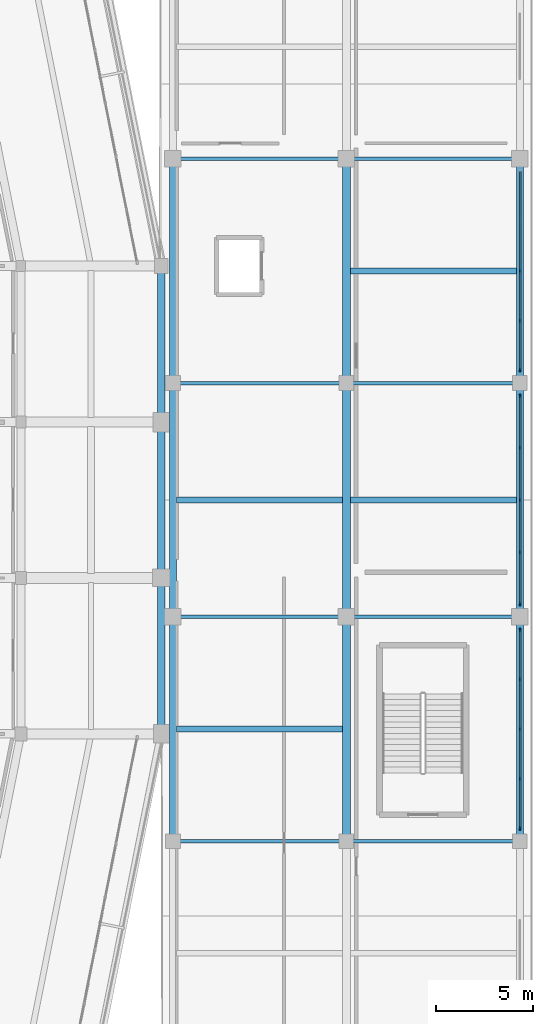
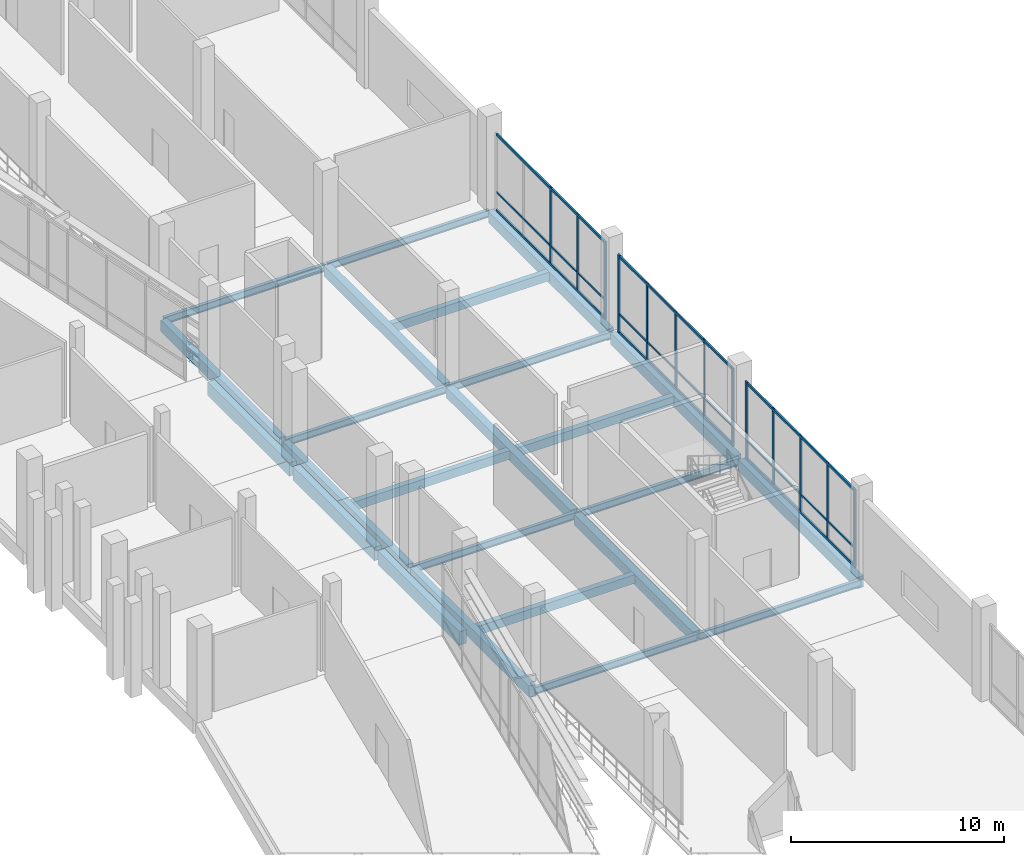
# One storey, part 44 of 114: 24 beams, 22 members, 3 elements without a shape of their own.
"""IFC4 building model written with IfcOpenShell, lengths in metres."""

from ifc_helpers import new_model, si_unit, direction, frame, origin, origin_2d, place, context, subcontext, project, spatial, rectangle, i_section, extrude, material, material_profile, profile_set, type_object, element, aggregate, save


model = new_model("IFC4")

# Units and contexts
model_context = context("Model", 3, precision=1e-05, world=origin(), true_north=direction((0.0, 1.0)))
body_context = subcontext(model_context, "Body", "Model", "MODEL_VIEW")
ifc_project = project(units=[si_unit("LENGTHUNIT", "METRE"), si_unit("AREAUNIT", "SQUARE_METRE"), si_unit("VOLUMEUNIT", "CUBIC_METRE"), si_unit("PLANEANGLEUNIT", "RADIAN"), si_unit("MASSUNIT", "GRAM", prefix="KILO")], contexts=[model_context])

# Site, building, storey
site_placement = place(None, origin())
site = spatial("IfcSite", under=ifc_project, at=site_placement, CompositionType="ELEMENT")
building_placement = place(site_placement, origin())
building = spatial("IfcBuilding", under=site, at=building_placement, Name="Candeia Ridge Stadium", CompositionType="ELEMENT")
storey_placement = place(building_placement, frame((0.0, 0.0, 5.39990234375)))
storey = spatial("IfcBuildingStorey", under=building, at=storey_placement, Name="L01", CompositionType="ELEMENT", Elevation=5.39990234375)

# Curtain wall, members
ifc_material_1 = material(Name="Aluminium Anodized Warm Bronze", Category="aluminium")
curtain_wall_type = type_object("IfcCurtainWallType", Name="Cardinal Entrance Gate Tall Glazed Curtain Wall", PredefinedType="NOTDEFINED", material=ifc_material_1)
curtain_wall_1_placement = place(storey_placement, origin())
curtain_wall_1 = element("IfcCurtainWall", 1, at=curtain_wall_1_placement, inside=storey, type_object=curtain_wall_type, Name="Unitised curtain wall CW-WNG-L01-102", PredefinedType="NOTDEFINED")
ifc_material_profile_1 = material_profile(ifc_material_1, rectangle(XDim=0.090087890625, YDim=0.179931640625, at=origin_2d()), Name="CWM-90x180", Category="aluminium")
ifc_profile_set_1 = profile_set([ifc_material_profile_1], Name="Aluminium Anodized Warm Bronze")
member_type_1 = type_object("IfcMemberType", Name="Curtain Wall Primary Mullion 90x180", PredefinedType="MULLION", material=ifc_profile_set_1)
member_1_placement = place(storey_placement, frame((211.39990234375, 66.159912109375, 0.0), z_axis=(0.0, 0.0, 1.0), x_axis=(1.0, 0.0, 0.0)))
member_1 = element("IfcMember", 2, at=member_1_placement, type_object=member_type_1, Name="Curtain wall mullion CW-WNG-L01-102-M0", PredefinedType="MULLION", context=body_context, shape_type="SweptSolid", body=[
    extrude(rectangle(XDim=0.090087890625, YDim=0.179931640625, at=origin_2d()), origin(), (0.0, 0.0, 1.0), 4.47509765625),
])
member_2_placement = place(storey_placement, frame((211.39990234375, 76.340087890625, 0.0), z_axis=(0.0, 0.0, 1.0), x_axis=(1.0, 0.0, 0.0)))
member_2 = element("IfcMember", 3, at=member_2_placement, type_object=member_type_1, Name="Curtain wall mullion CW-WNG-L01-102-M4", PredefinedType="MULLION", context=body_context, shape_type="SweptSolid", body=[
    extrude(rectangle(XDim=0.090087890625, YDim=0.179931640625, at=origin_2d()), origin(), (0.0, 0.0, 1.0), 4.47509765625),
])

curtain_wall_2_placement = place(storey_placement, origin())
curtain_wall_2 = element("IfcCurtainWall", 4, at=curtain_wall_2_placement, inside=storey, type_object=curtain_wall_type, Name="Unitised curtain wall CW-WNG-L01-103", PredefinedType="NOTDEFINED")
member_3_placement = place(storey_placement, frame((211.39990234375, 77.659912109375, 0.0), z_axis=(0.0, 0.0, 1.0), x_axis=(1.0, 0.0, 0.0)))
member_3 = element("IfcMember", 5, at=member_3_placement, type_object=member_type_1, Name="Curtain wall mullion CW-WNG-L01-103-M0", PredefinedType="MULLION", context=body_context, shape_type="SweptSolid", body=[
    extrude(rectangle(XDim=0.090087890625, YDim=0.179931640625, at=origin_2d()), origin(), (0.0, 0.0, 1.0), 4.47509765625),
])
member_4_placement = place(storey_placement, frame((211.39990234375, 88.340087890625, 0.0), z_axis=(0.0, 0.0, 1.0), x_axis=(1.0, 0.0, 0.0)))
member_4 = element("IfcMember", 6, at=member_4_placement, type_object=member_type_1, Name="Curtain wall mullion CW-WNG-L01-103-M4", PredefinedType="MULLION", context=body_context, shape_type="SweptSolid", body=[
    extrude(rectangle(XDim=0.090087890625, YDim=0.179931640625, at=origin_2d()), origin(), (0.0, 0.0, 1.0), 4.47509765625),
])

# Curtain wall, member
curtain_wall_3_placement = place(storey_placement, origin())
curtain_wall_3 = element("IfcCurtainWall", 7, at=curtain_wall_3_placement, inside=storey, type_object=curtain_wall_type, Name="Unitised curtain wall CW-WNG-L01-104", PredefinedType="NOTDEFINED")
member_5_placement = place(storey_placement, frame((211.39990234375, 89.659912109375, 0.0), z_axis=(0.0, 0.0, 1.0), x_axis=(1.0, 0.0, 0.0)))
member_5 = element("IfcMember", 8, at=member_5_placement, type_object=member_type_1, Name="Curtain wall mullion CW-WNG-L01-104-M0", PredefinedType="MULLION", context=body_context, shape_type="SweptSolid", body=[
    extrude(rectangle(XDim=0.090087890625, YDim=0.179931640625, at=origin_2d()), origin(), (0.0, 0.0, 1.0), 4.47509765625),
])

# Member
ifc_material_profile_2 = material_profile(ifc_material_1, rectangle(XDim=0.074951171875, YDim=0.14990234375, at=origin_2d()), Name="CWM-75x150", Category="aluminium")
ifc_profile_set_2 = profile_set([ifc_material_profile_2], Name="Aluminium Anodized Warm Bronze")
member_type_2 = type_object("IfcMemberType", Name="Curtain Wall Secondary Mullion 75x150", PredefinedType="MULLION", material=ifc_profile_set_2)
member_6_placement = place(storey_placement, frame((211.39990234375, 68.705078125, 0.0), z_axis=(0.0, 0.0, 1.0), x_axis=(1.0, 0.0, 0.0)))
member_6 = element("IfcMember", 9, at=member_6_placement, type_object=member_type_2, Name="Curtain wall mullion CW-WNG-L01-102-M1", PredefinedType="MULLION", context=body_context, shape_type="SweptSolid", body=[
    extrude(rectangle(XDim=0.074951171875, YDim=0.14990234375, at=origin_2d()), origin(), (0.0, 0.0, 1.0), 4.47509765625),
])

member_7_placement = place(storey_placement, frame((211.39990234375, 71.25, 0.0), z_axis=(0.0, 0.0, 1.0), x_axis=(1.0, 0.0, 0.0)))
member_7 = element("IfcMember", 10, at=member_7_placement, type_object=member_type_2, Name="Curtain wall mullion CW-WNG-L01-102-M2", PredefinedType="MULLION", context=body_context, shape_type="SweptSolid", body=[
    extrude(rectangle(XDim=0.074951171875, YDim=0.14990234375, at=origin_2d()), origin(), (0.0, 0.0, 1.0), 4.47509765625),
])

member_8_placement = place(storey_placement, frame((211.39990234375, 73.794921875, 0.0), z_axis=(0.0, 0.0, 1.0), x_axis=(1.0, 0.0, 0.0)))
member_8 = element("IfcMember", 11, at=member_8_placement, type_object=member_type_2, Name="Curtain wall mullion CW-WNG-L01-102-M3", PredefinedType="MULLION", context=body_context, shape_type="SweptSolid", body=[
    extrude(rectangle(XDim=0.074951171875, YDim=0.14990234375, at=origin_2d()), origin(), (0.0, 0.0, 1.0), 4.47509765625),
])

member_9_placement = place(storey_placement, frame((211.39990234375, 80.330078125, 0.0), z_axis=(0.0, 0.0, 1.0), x_axis=(1.0, 0.0, 0.0)))
member_9 = element("IfcMember", 12, at=member_9_placement, type_object=member_type_2, Name="Curtain wall mullion CW-WNG-L01-103-M1", PredefinedType="MULLION", context=body_context, shape_type="SweptSolid", body=[
    extrude(rectangle(XDim=0.074951171875, YDim=0.14990234375, at=origin_2d()), origin(), (0.0, 0.0, 1.0), 4.47509765625),
])

member_10_placement = place(storey_placement, frame((211.39990234375, 83.0, 0.0), z_axis=(0.0, 0.0, 1.0), x_axis=(1.0, 0.0, 0.0)))
member_10 = element("IfcMember", 13, at=member_10_placement, type_object=member_type_2, Name="Curtain wall mullion CW-WNG-L01-103-M2", PredefinedType="MULLION", context=body_context, shape_type="SweptSolid", body=[
    extrude(rectangle(XDim=0.074951171875, YDim=0.14990234375, at=origin_2d()), origin(), (0.0, 0.0, 1.0), 4.47509765625),
])

member_11_placement = place(storey_placement, frame((211.39990234375, 85.669921875, 0.0), z_axis=(0.0, 0.0, 1.0), x_axis=(1.0, 0.0, 0.0)))
member_11 = element("IfcMember", 14, at=member_11_placement, type_object=member_type_2, Name="Curtain wall mullion CW-WNG-L01-103-M3", PredefinedType="MULLION", context=body_context, shape_type="SweptSolid", body=[
    extrude(rectangle(XDim=0.074951171875, YDim=0.14990234375, at=origin_2d()), origin(), (0.0, 0.0, 1.0), 4.47509765625),
])

member_12_placement = place(storey_placement, frame((211.39990234375, 92.205078125, 0.0), z_axis=(0.0, 0.0, 1.0), x_axis=(1.0, 0.0, 0.0)))
member_12 = element("IfcMember", 15, at=member_12_placement, type_object=member_type_2, Name="Curtain wall mullion CW-WNG-L01-104-M1", PredefinedType="MULLION", context=body_context, shape_type="SweptSolid", body=[
    extrude(rectangle(XDim=0.074951171875, YDim=0.14990234375, at=origin_2d()), origin(), (0.0, 0.0, 1.0), 4.47509765625),
])

member_13_placement = place(storey_placement, frame((211.39990234375, 94.75, 0.0), z_axis=(0.0, 0.0, 1.0), x_axis=(1.0, 0.0, 0.0)))
member_13 = element("IfcMember", 16, at=member_13_placement, type_object=member_type_2, Name="Curtain wall mullion CW-WNG-L01-104-M2", PredefinedType="MULLION", context=body_context, shape_type="SweptSolid", body=[
    extrude(rectangle(XDim=0.074951171875, YDim=0.14990234375, at=origin_2d()), origin(), (0.0, 0.0, 1.0), 4.47509765625),
])

ifc_material_profile_3 = material_profile(ifc_material_1, rectangle(XDim=0.074951171875, YDim=0.110107421875, at=origin_2d()), Name="CWT-75x110", Category="aluminium")
ifc_profile_set_3 = profile_set([ifc_material_profile_3], Name="Aluminium Anodized Warm Bronze")
member_type_3 = type_object("IfcMemberType", Name="Curtain Wall Secondary Transom 75x110", PredefinedType="USERDEFINED", material=ifc_profile_set_3)
member_14_placement = place(storey_placement, frame((211.39990234375, 66.159912109375, 1.10009765625), z_axis=(0.0, 1.0, 0.0), x_axis=(-1.0, 0.0, 0.0)))
member_14 = element("IfcMember", 17, at=member_14_placement, type_object=member_type_3, Name="Curtain wall transom CW-WNG-L01-102-T1", ObjectType="TRANSOM", PredefinedType="USERDEFINED", context=body_context, shape_type="SweptSolid", body=[
    extrude(rectangle(XDim=0.074951171875, YDim=0.110107421875, at=origin_2d()), origin(), (0.0, 0.0, 1.0), 10.18017578125),
])

member_15_placement = place(storey_placement, frame((211.39990234375, 77.659912109375, 1.10009765625), z_axis=(0.0, 1.0, 0.0), x_axis=(-1.0, 0.0, 0.0)))
member_15 = element("IfcMember", 18, at=member_15_placement, type_object=member_type_3, Name="Curtain wall transom CW-WNG-L01-103-T1", ObjectType="TRANSOM", PredefinedType="USERDEFINED", context=body_context, shape_type="SweptSolid", body=[
    extrude(rectangle(XDim=0.074951171875, YDim=0.110107421875, at=origin_2d()), origin(), (0.0, 0.0, 1.0), 10.68017578125),
])

member_16_placement = place(storey_placement, frame((211.39990234375, 89.659912109375, 1.10009765625), z_axis=(0.0, 1.0, 0.0), x_axis=(-1.0, 0.0, 0.0)))
member_16 = element("IfcMember", 19, at=member_16_placement, type_object=member_type_3, Name="Curtain wall transom CW-WNG-L01-104-T1", ObjectType="TRANSOM", PredefinedType="USERDEFINED", context=body_context, shape_type="SweptSolid", body=[
    extrude(rectangle(XDim=0.074951171875, YDim=0.110107421875, at=origin_2d()), origin(), (0.0, 0.0, 1.0), 10.18017578125),
])

ifc_material_profile_4 = material_profile(ifc_material_1, rectangle(XDim=0.090087890625, YDim=0.139892578125, at=origin_2d()), Name="CWT-90x140", Category="aluminium")
ifc_profile_set_4 = profile_set([ifc_material_profile_4], Name="Aluminium Anodized Warm Bronze")
member_type_4 = type_object("IfcMemberType", Name="Curtain Wall Transom 90x140", PredefinedType="USERDEFINED", material=ifc_profile_set_4)
member_17_placement = place(storey_placement, frame((211.39990234375, 66.159912109375, 0.070068359375), z_axis=(0.0, 1.0, 0.0), x_axis=(-1.0, 0.0, 0.0)))
member_17 = element("IfcMember", 20, at=member_17_placement, type_object=member_type_4, Name="Curtain wall transom CW-WNG-L01-102-T0", ObjectType="TRANSOM", PredefinedType="USERDEFINED", context=body_context, shape_type="SweptSolid", body=[
    extrude(rectangle(XDim=0.090087890625, YDim=0.139892578125, at=origin_2d()), origin(), (0.0, 0.0, 1.0), 10.18017578125),
])

member_18_placement = place(storey_placement, frame((211.39990234375, 66.159912109375, 4.405029296875), z_axis=(0.0, 1.0, 0.0), x_axis=(-1.0, 0.0, 0.0)))
member_18 = element("IfcMember", 21, at=member_18_placement, type_object=member_type_4, Name="Curtain wall transom CW-WNG-L01-102-T2", ObjectType="TRANSOM", PredefinedType="USERDEFINED", context=body_context, shape_type="SweptSolid", body=[
    extrude(rectangle(XDim=0.090087890625, YDim=0.139892578125, at=origin_2d()), origin(), (0.0, 0.0, 1.0), 10.18017578125),
])

aggregate(curtain_wall_1, [member_1, member_6, member_7, member_8, member_2, member_17, member_14, member_18])

member_19_placement = place(storey_placement, frame((211.39990234375, 77.659912109375, 0.070068359375), z_axis=(0.0, 1.0, 0.0), x_axis=(-1.0, 0.0, 0.0)))
member_19 = element("IfcMember", 22, at=member_19_placement, type_object=member_type_4, Name="Curtain wall transom CW-WNG-L01-103-T0", ObjectType="TRANSOM", PredefinedType="USERDEFINED", context=body_context, shape_type="SweptSolid", body=[
    extrude(rectangle(XDim=0.090087890625, YDim=0.139892578125, at=origin_2d()), origin(), (0.0, 0.0, 1.0), 10.68017578125),
])

member_20_placement = place(storey_placement, frame((211.39990234375, 77.659912109375, 4.405029296875), z_axis=(0.0, 1.0, 0.0), x_axis=(-1.0, 0.0, 0.0)))
member_20 = element("IfcMember", 23, at=member_20_placement, type_object=member_type_4, Name="Curtain wall transom CW-WNG-L01-103-T2", ObjectType="TRANSOM", PredefinedType="USERDEFINED", context=body_context, shape_type="SweptSolid", body=[
    extrude(rectangle(XDim=0.090087890625, YDim=0.139892578125, at=origin_2d()), origin(), (0.0, 0.0, 1.0), 10.68017578125),
])

aggregate(curtain_wall_2, [member_3, member_9, member_10, member_11, member_4, member_19, member_15, member_20])

member_21_placement = place(storey_placement, frame((211.39990234375, 89.659912109375, 0.070068359375), z_axis=(0.0, 1.0, 0.0), x_axis=(-1.0, 0.0, 0.0)))
member_21 = element("IfcMember", 24, at=member_21_placement, type_object=member_type_4, Name="Curtain wall transom CW-WNG-L01-104-T0", ObjectType="TRANSOM", PredefinedType="USERDEFINED", context=body_context, shape_type="SweptSolid", body=[
    extrude(rectangle(XDim=0.090087890625, YDim=0.139892578125, at=origin_2d()), origin(), (0.0, 0.0, 1.0), 10.18017578125),
])

member_22_placement = place(storey_placement, frame((211.39990234375, 89.659912109375, 4.405029296875), z_axis=(0.0, 1.0, 0.0), x_axis=(-1.0, 0.0, 0.0)))
member_22 = element("IfcMember", 25, at=member_22_placement, type_object=member_type_4, Name="Curtain wall transom CW-WNG-L01-104-T2", ObjectType="TRANSOM", PredefinedType="USERDEFINED", context=body_context, shape_type="SweptSolid", body=[
    extrude(rectangle(XDim=0.090087890625, YDim=0.139892578125, at=origin_2d()), origin(), (0.0, 0.0, 1.0), 10.18017578125),
])

aggregate(curtain_wall_3, [member_5, member_12, member_13, member_21, member_16, member_22])

# Beams
ifc_material_2 = material(Name="Concrete C40/50", Category="concrete")
ifc_material_profile_5 = material_profile(ifc_material_2, rectangle(XDim=0.300048828125, YDim=0.5, at=origin_2d()), Name="RC300x500", Category="concrete")
ifc_profile_set_5 = profile_set([ifc_material_profile_5], Name="Concrete C40/50")
beam_type_1 = type_object("IfcBeamType", Name="Floor Joist RC300x500", PredefinedType="JOIST", material=ifc_profile_set_5)
for number, where, z_axis, x_axis, name in (
    (26, (193.7744140625, 71.25, -0.510009765625), (1.0, 0.0, 0.0), (0.0, 1.0, 0.0), "Wing secondary joist BM-L01-1493"),
    (27, (193.7744140625, 83.0, -0.510009765625), (1.0, 0.0, 0.0), (0.0, 1.0, 0.0), "Wing secondary joist BM-L01-1495"),
    (28, (202.699462890625, 83.0, -0.510009765625), (1.0, 0.0, 0.0), (0.0, 1.0, 0.0), "Wing secondary joist BM-L01-1516"),
    (29, (202.699462890625, 94.75, -0.510009765625), (1.0, 0.0, 0.0), (0.0, 1.0, 0.0), "Wing secondary joist BM-L01-1518"),
):
    element("IfcBeam", number, at=place(storey_placement, frame(where, z_axis=z_axis, x_axis=x_axis)), inside=storey, type_object=beam_type_1, Name=name, PredefinedType="JOIST", context=body_context, shape_type="SweptSolid", body=[
        extrude(rectangle(XDim=0.300048828125, YDim=0.5, at=origin_2d()), origin(), (0.0, 0.0, 1.0), 8.526123046875),
    ])
ifc_material_profile_6 = material_profile(ifc_material_2, rectangle(XDim=0.39990234375, YDim=0.60009765625, at=origin_2d()), Name="RC400x600", Category="concrete")
ifc_profile_set_6 = profile_set([ifc_material_profile_6], Name="Concrete C40/50")
beam_type_2 = type_object("IfcBeamType", Name="Frame Girder RC400x600", PredefinedType="BEAM", material=ifc_profile_set_6)
beam_1_placement = place(storey_placement, frame((202.5, 65.659912109375, -0.559814453125), z_axis=(0.0, 1.0, 0.0), x_axis=(-1.0, 0.0, 0.0)))
element("IfcBeam", 30, at=beam_1_placement, inside=storey, type_object=beam_type_2, Name="Structural girder BM-L01-1467", PredefinedType="BEAM", context=body_context, shape_type="SweptSolid", body=[
    extrude(rectangle(XDim=0.39990234375, YDim=0.60009765625, at=origin_2d()), origin(), (0.0, 0.0, 1.0), 11.18017578125),
])
beam_2_placement = place(storey_placement, frame((202.5, 77.159912109375, -0.559814453125), z_axis=(0.0, 1.0, 0.0), x_axis=(-1.0, 0.0, 0.0)))
element("IfcBeam", 31, at=beam_2_placement, inside=storey, type_object=beam_type_2, Name="Structural girder BM-L01-1468", PredefinedType="BEAM", context=body_context, shape_type="SweptSolid", body=[
    extrude(rectangle(XDim=0.39990234375, YDim=0.60009765625, at=origin_2d()), origin(), (0.0, 0.0, 1.0), 11.68017578125),
])
beam_3_placement = place(storey_placement, frame((202.5, 89.159912109375, -0.559814453125), z_axis=(0.0, 1.0, 0.0), x_axis=(-1.0, 0.0, 0.0)))
element("IfcBeam", 32, at=beam_3_placement, inside=storey, type_object=beam_type_2, Name="Structural girder BM-L01-1469", PredefinedType="BEAM", context=body_context, shape_type="SweptSolid", body=[
    extrude(rectangle(XDim=0.39990234375, YDim=0.60009765625, at=origin_2d()), origin(), (0.0, 0.0, 1.0), 11.18017578125),
])
ifc_material_profile_7 = material_profile(ifc_material_2, rectangle(XDim=0.35009765625, YDim=0.64990234375, at=origin_2d()), Name="RC350x650", Category="concrete")
ifc_profile_set_7 = profile_set([ifc_material_profile_7], Name="Concrete C40/50")
beam_type_3 = type_object("IfcBeamType", Name="Spandrel Beam RC350x650", PredefinedType="SPANDREL", material=ifc_profile_set_7)
beam_4_placement = place(storey_placement, frame((193.60009765625, 65.659912109375, -0.5849609375), z_axis=(0.0, 1.0, 0.0), x_axis=(-1.0, 0.0, 0.0)))
element("IfcBeam", 33, at=beam_4_placement, inside=storey, type_object=beam_type_3, Name="Structural girder BM-L01-1456", PredefinedType="SPANDREL", context=body_context, shape_type="SweptSolid", body=[
    extrude(rectangle(XDim=0.35009765625, YDim=0.64990234375, at=origin_2d()), origin(), (0.0, 0.0, 1.0), 11.18017578125),
])
beam_5_placement = place(storey_placement, frame((193.60009765625, 77.159912109375, -0.5849609375), z_axis=(0.0, 1.0, 0.0), x_axis=(-1.0, 0.0, 0.0)))
element("IfcBeam", 34, at=beam_5_placement, inside=storey, type_object=beam_type_3, Name="Structural girder BM-L01-1457", PredefinedType="SPANDREL", context=body_context, shape_type="SweptSolid", body=[
    extrude(rectangle(XDim=0.35009765625, YDim=0.64990234375, at=origin_2d()), origin(), (0.0, 0.0, 1.0), 11.68017578125),
])
for number, where, z_axis, x_axis, name in (
    (35, (193.60009765625, 89.159912109375, -0.5849609375), (0.0, 1.0, 0.0), (-1.0, 0.0, 0.0), "Structural girder BM-L01-1458"),
    (36, (211.39990234375, 65.659912109375, -0.5849609375), (0.0, 1.0, 0.0), (-1.0, 0.0, 0.0), "Structural girder BM-L01-1478"),
):
    element("IfcBeam", number, at=place(storey_placement, frame(where, z_axis=z_axis, x_axis=x_axis)), inside=storey, type_object=beam_type_3, Name=name, PredefinedType="SPANDREL", context=body_context, shape_type="SweptSolid", body=[
        extrude(rectangle(XDim=0.35009765625, YDim=0.64990234375, at=origin_2d()), origin(), (0.0, 0.0, 1.0), 11.18017578125),
    ])
beam_6_placement = place(storey_placement, frame((211.39990234375, 77.159912109375, -0.5849609375), z_axis=(0.0, 1.0, 0.0), x_axis=(-1.0, 0.0, 0.0)))
element("IfcBeam", 37, at=beam_6_placement, inside=storey, type_object=beam_type_3, Name="Structural girder BM-L01-1479", PredefinedType="SPANDREL", context=body_context, shape_type="SweptSolid", body=[
    extrude(rectangle(XDim=0.35009765625, YDim=0.64990234375, at=origin_2d()), origin(), (0.0, 0.0, 1.0), 11.68017578125),
])
beam_7_placement = place(storey_placement, frame((211.39990234375, 89.159912109375, -0.5849609375), z_axis=(0.0, 1.0, 0.0), x_axis=(-1.0, 0.0, 0.0)))
element("IfcBeam", 38, at=beam_7_placement, inside=storey, type_object=beam_type_3, Name="Structural girder BM-L01-1480", PredefinedType="SPANDREL", context=body_context, shape_type="SweptSolid", body=[
    extrude(rectangle(XDim=0.35009765625, YDim=0.64990234375, at=origin_2d()), origin(), (0.0, 0.0, 1.0), 11.18017578125),
])
ifc_material_3 = material(Name="Concrete C45/55", Category="concrete")
ifc_material_profile_8 = material_profile(ifc_material_3, rectangle(XDim=0.3798828125, YDim=0.780029296875, at=origin_2d()), Name="RC380x780", Category="concrete")
ifc_profile_set_8 = profile_set([ifc_material_profile_8], Name="Concrete C45/55")
beam_type_4 = type_object("IfcBeamType", Name="Spandrel Beam RC380x780", PredefinedType="SPANDREL", material=ifc_profile_set_8)
for number, where, z_axis, x_axis, name in (
    (39, (193.0, 71.159912109375, -0.64990234375), (0.0, 1.0, 0.0), (-1.0, 0.0, 0.0), "Bowl perimeter spandrel BM-L01-0209"),
    (40, (193.0, 79.159912109375, -0.64990234375), (0.0, 1.0, 0.0), (-1.0, 0.0, 0.0), "Bowl perimeter spandrel BM-L01-0214"),
    (41, (193.0, 87.159912109375, -0.64990234375), (0.0, 1.0, 0.0), (-1.0, 0.0, 0.0), "Bowl perimeter spandrel BM-L01-0219"),
):
    element("IfcBeam", number, at=place(storey_placement, frame(where, z_axis=z_axis, x_axis=x_axis)), inside=storey, type_object=beam_type_4, Name=name, PredefinedType="SPANDREL", context=body_context, shape_type="SweptSolid", body=[
        extrude(rectangle(XDim=0.3798828125, YDim=0.780029296875, at=origin_2d()), origin(), (0.0, 0.0, 1.0), 7.68017578125),
    ])
ifc_material_4 = material(Name="Steel ASTM A572 Grade 50", Category="steel")
ifc_material_profile_9 = material_profile(ifc_material_4, i_section(OverallWidth=0.178955078125, OverallDepth=0.409912109375, WebThickness=0.0087890625, FlangeThickness=0.014404296875, FilletRadius=0.011962890625, at=origin_2d()), Name="W410x67", Category="steel")
ifc_profile_set_9 = profile_set([ifc_material_profile_9], Name="Steel ASTM A572 Grade 50")
beam_type_5 = type_object("IfcBeamType", Name="Warm-Up Hall Girder W410x67", PredefinedType="BEAM", material=ifc_profile_set_9)
for number, where, z_axis, x_axis, name in (
    (42, (193.64990234375, 65.5, -0.46484375), (1.0, 0.0, 0.0), (0.0, 1.0, 0.0), "Structural girder BM-L01-1492"),
    (43, (193.64990234375, 77.0, -0.46484375), (1.0, 0.0, 0.0), (0.0, 1.0, 0.0), "Structural girder BM-L01-1494"),
    (44, (193.64990234375, 89.0, -0.46484375), (1.0, 0.0, 0.0), (0.0, 1.0, 0.0), "Structural girder BM-L01-1496"),
    (45, (193.64990234375, 100.5, -0.46484375), (1.0, 0.0, 0.0), (0.0, 1.0, 0.0), "Structural girder BM-L01-1497"),
    (46, (202.550048828125, 65.5, -0.46484375), (1.0, 0.0, 0.0), (0.0, 1.0, 0.0), "Structural girder BM-L01-1514"),
    (47, (202.550048828125, 77.0, -0.46484375), (1.0, 0.0, 0.0), (0.0, 1.0, 0.0), "Structural girder BM-L01-1515"),
    (48, (202.550048828125, 89.0, -0.46484375), (1.0, 0.0, 0.0), (0.0, 1.0, 0.0), "Structural girder BM-L01-1517"),
    (49, (202.550048828125, 100.5, -0.46484375), (1.0, 0.0, 0.0), (0.0, 1.0, 0.0), "Structural girder BM-L01-1519"),
):
    element("IfcBeam", number, at=place(storey_placement, frame(where, z_axis=z_axis, x_axis=x_axis)), inside=storey, type_object=beam_type_5, Name=name, PredefinedType="BEAM", context=body_context, shape_type="SweptSolid", body=[
        extrude(i_section(OverallWidth=0.178955078125, OverallDepth=0.409912109375, WebThickness=0.0087890625, FlangeThickness=0.014404296875, FilletRadius=0.011962890625, at=origin_2d()), origin(), (0.0, 0.0, 1.0), 8.800048828125),
    ])

save(model, "model.ifc")
